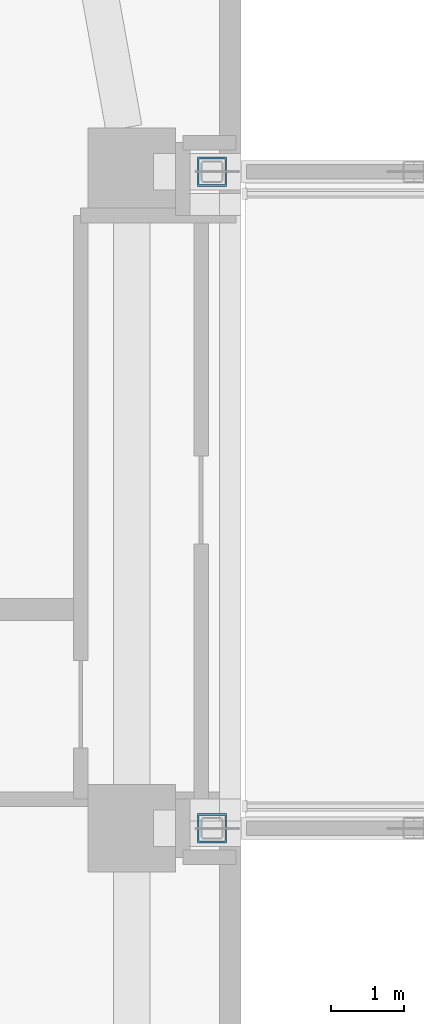
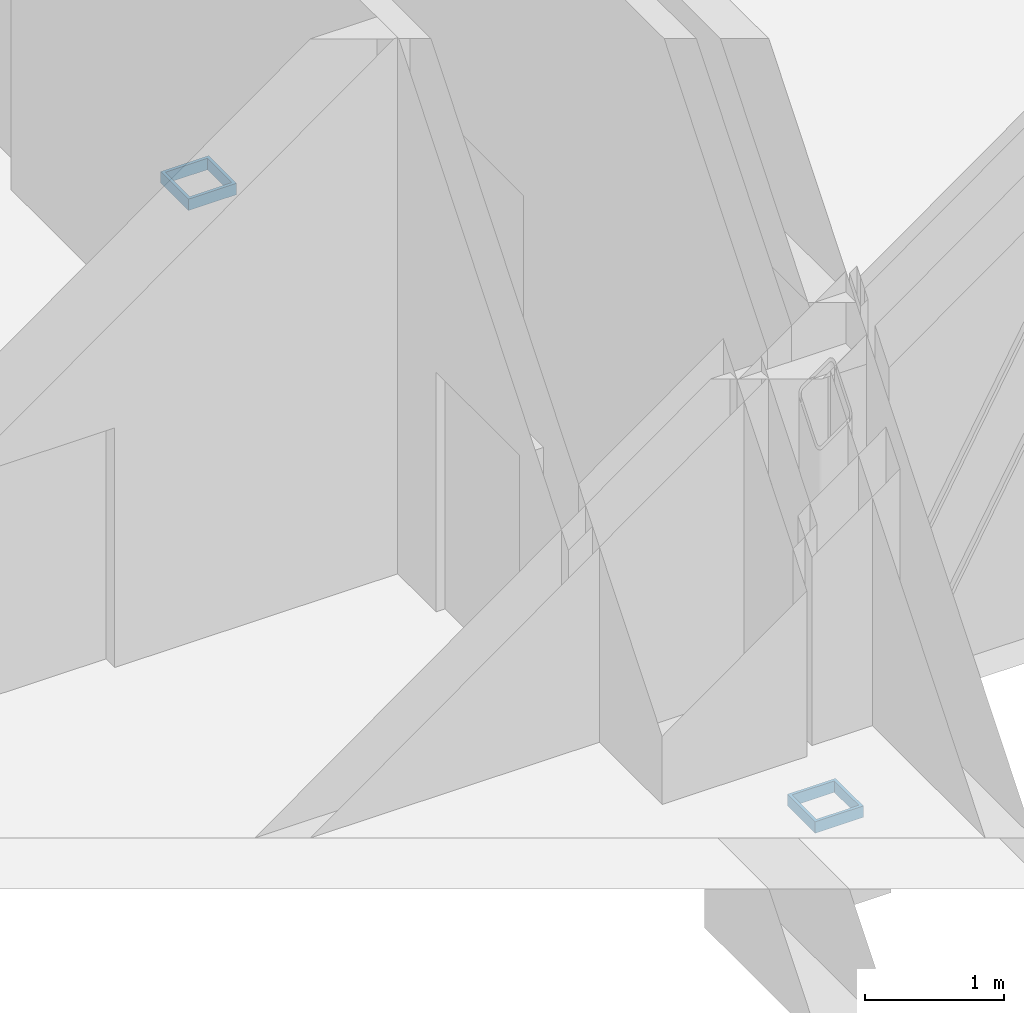
# One storey, part 4 of 35: 2 members.
"""IFC4 building model written with IfcOpenShell, lengths in metres."""

from ifc_helpers import new_model, si_unit, direction, frame, origin, origin_2d, place, context, subcontext, project, spatial, hollow_rectangle, extrude, material, material_profile, profile_set, type_object, element, save


model = new_model("IFC4")

# Units and contexts
model_context = context("Model", 3, precision=1e-05, world=origin(), true_north=direction((0.0, 1.0)))
body_context = subcontext(model_context, "Body", "Model", "MODEL_VIEW")
ifc_project = project(units=[si_unit("LENGTHUNIT", "METRE"), si_unit("AREAUNIT", "SQUARE_METRE"), si_unit("VOLUMEUNIT", "CUBIC_METRE"), si_unit("PLANEANGLEUNIT", "RADIAN"), si_unit("MASSUNIT", "GRAM", prefix="KILO")], contexts=[model_context])

# Site, building, storey
site_placement = place(None, origin())
site = spatial("IfcSite", under=ifc_project, at=site_placement, CompositionType="ELEMENT")
building_placement = place(site_placement, origin())
building = spatial("IfcBuilding", under=site, at=building_placement, Name="Ogive Portal Towers", CompositionType="ELEMENT")
storey_placement = place(building_placement, frame((0.0, 0.0, 23.5)))
storey = spatial("IfcBuildingStorey", under=building, at=storey_placement, Name="L04", CompositionType="ELEMENT", Elevation=23.5)

# Members
ifc_material = material(Name="Steel S355", Category="steel")
ifc_material_profile = material_profile(ifc_material, hollow_rectangle(XDim=0.39990234375, YDim=0.39990234375, WallThickness=0.02490234375, at=origin_2d()), Name="BOX 400x400x25")
ifc_profile_set = profile_set([ifc_material_profile], Name="Steel S355")
member_type = type_object("IfcMemberType", Name="BEARING BOX 400x400x25", PredefinedType="USERDEFINED", material=ifc_profile_set)
for number, where, z_axis, x_axis, name in (
    (1, (104.60009765625, 30.5, -1.02001953125), (0.0, 0.0, 1.0), (1.0, 0.0, 0.0), "Sliding bearing L04"),
    (2, (104.60009765625, 39.5, -1.02001953125), (0.0, 0.0, 1.0), (1.0, 0.0, 0.0), "Sliding bearing L04"),
):
    element("IfcMember", number, at=place(storey_placement, frame(where, z_axis=z_axis, x_axis=x_axis)), inside=storey, type_object=member_type, Name=name, ObjectType="BEARING", PredefinedType="USERDEFINED", context=body_context, shape_type="SweptSolid", body=[
        extrude(hollow_rectangle(XDim=0.39990234375, YDim=0.39990234375, WallThickness=0.02490234375, at=origin_2d()), origin(), (0.0, 0.0, 1.0), 0.10009765625),
    ])

save(model, "model.ifc")
